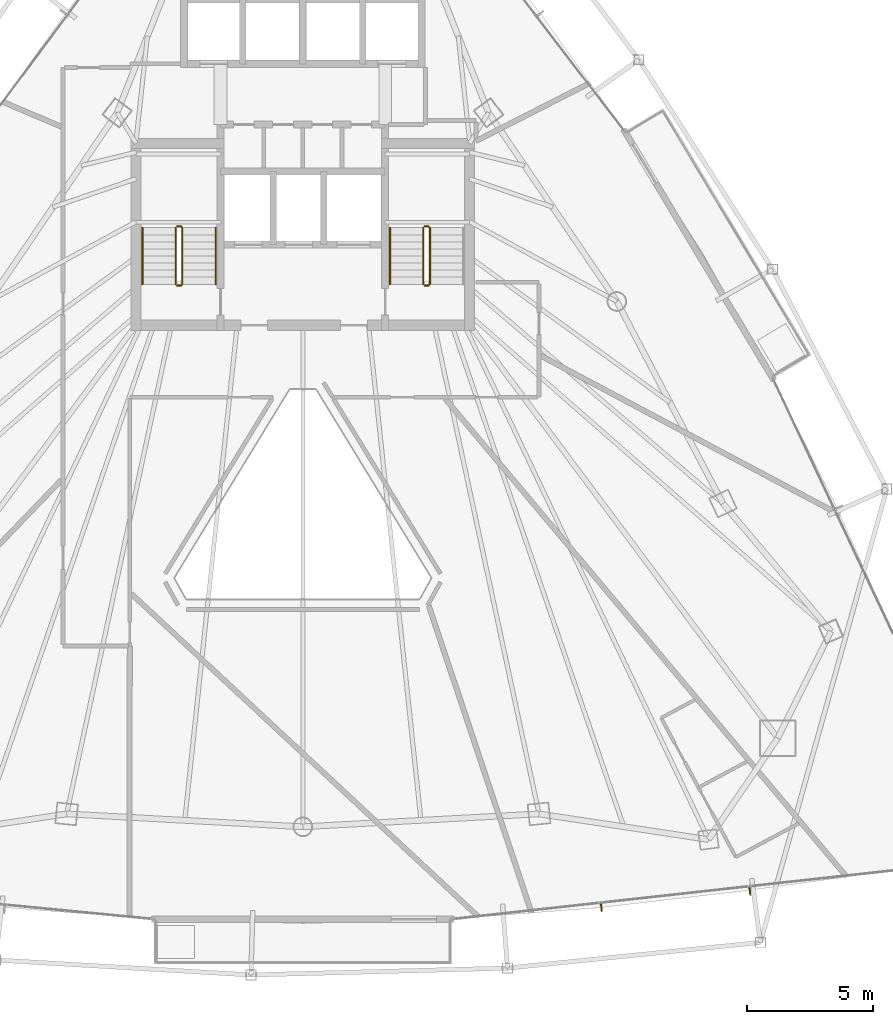
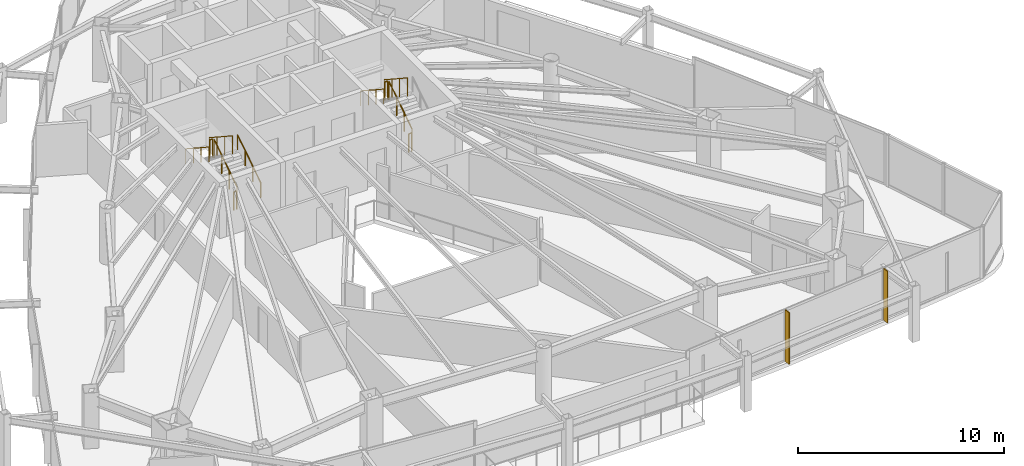
# One storey, part 30 of 31: 11 railings, 2 shading devices.
"""IFC4 building model written with IfcOpenShell, lengths in metres."""

from ifc_helpers import new_model, si_unit, direction, frame, origin, origin_2d, place, context, subcontext, project, spatial, rectangle, circle, extrude, material, layer, layer_set, type_object, element, save


model = new_model("IFC4")

# Units and contexts
model_context = context("Model", 3, precision=1e-05, world=origin(), true_north=direction((0.0, 1.0)))
body_context = subcontext(model_context, "Body", "Model", "MODEL_VIEW")
ifc_project = project(units=[si_unit("LENGTHUNIT", "METRE"), si_unit("AREAUNIT", "SQUARE_METRE"), si_unit("VOLUMEUNIT", "CUBIC_METRE"), si_unit("PLANEANGLEUNIT", "RADIAN"), si_unit("MASSUNIT", "GRAM", prefix="KILO")], contexts=[model_context])

# Site, building, storey
site_placement = place(None, origin())
site = spatial("IfcSite", under=ifc_project, at=site_placement, CompositionType="ELEMENT")
building_placement = place(site_placement, origin())
building = spatial("IfcBuilding", under=site, at=building_placement, Name="Orvanel Arch Residences", CompositionType="ELEMENT")
storey_placement = place(building_placement, frame((0.0, 0.0, 129.800048828125)))
storey = spatial("IfcBuildingStorey", under=building, at=storey_placement, Name="L36", CompositionType="ELEMENT", Elevation=129.800048828125)

# Shading devices
ifc_material_1 = material(Name="Bronze-anodised aluminium AA6063-T6", Category="aluminium")
ifc_layer = layer(ifc_material_1, 0.054931640625)
ifc_layer_set = layer_set([ifc_layer], Name="Bronze-anodised aluminium AA6063-T6")
shading_device_type = type_object("IfcShadingDeviceType", Name="FIN-BRZ-320", PredefinedType="USERDEFINED", material=ifc_layer_set)
for number, where, z_axis, x_axis, name in (
    (1, (44.81689453125, 3.64990234375, 0.0), (0.0, 0.0, 1.0), (0.109734311091, -0.993960955455, 0.0), "L36 Anodised Bronze Mullion FIN 01"),
    (2, (50.697998046875, 4.298095703125, 0.0), (0.0, 0.0, 1.0), (0.109734311091, -0.993960955455, 0.0), "L36 Anodised Bronze Mullion FIN 02"),
):
    element("IfcShadingDevice", number, at=place(storey_placement, frame(where, z_axis=z_axis, x_axis=x_axis)), inside=storey, type_object=shading_device_type, Name=name, ObjectType="FIN", PredefinedType="USERDEFINED", context=body_context, shape_type="SweptSolid", body=[
        extrude(rectangle(XDim=0.320068359375, YDim=0.054931640625, at=origin_2d()), origin(), (0.0, 0.0, 1.0), 3.06005859375),
    ])

# Railings
ifc_material_2 = material(Name="Structural steel AS/NZS 1163 C350L0 (Grade 350)", Category="steel")
railing_type_1 = type_object("IfcRailingType", Name="RL-STAIR-GUARD", PredefinedType="GUARDRAIL", material=ifc_material_2)
railing_1_placement = place(storey_placement, frame((28.22998046875, 28.320068359375, 0.183349609375)))
element("IfcRailing", 3, at=railing_1_placement, inside=storey, type_object=railing_type_1, Name="L36 ST-1 stair guard 1", PredefinedType="GUARDRAIL", context=body_context, shape_type="SweptSolid", body=[
    extrude(circle(Radius=0.02392578125, at=origin_2d()), frame((0.0, 0.001220703125, 1.076904296875), z_axis=(0.0, 0.836636935527, 0.547757827979), x_axis=(-1.0, 0.0, 0.0)), (0.0, 0.0, 1.0), 2.67431640625),
    extrude(circle(Radius=0.02099609375, at=origin_2d()), origin(), (0.0, 0.0, 1.0), 1.050048828125),
    extrude(circle(Radius=0.02099609375, at=origin_2d()), frame((0.0, 0.74658203125, 0.48876953125)), (0.0, 0.0, 1.0), 1.050048828125),
    extrude(circle(Radius=0.02099609375, at=origin_2d()), frame((0.0, 1.493408203125, 0.977783203125)), (0.0, 0.0, 1.0), 1.050048828125),
    extrude(circle(Radius=0.02099609375, at=origin_2d()), frame((0.0, 2.239990234375, 1.466552734375)), (0.0, 0.0, 1.0), 1.050048828125),
])
railing_2_placement = place(storey_placement, frame((28.179931640625, 30.610107421875, 1.64990234375)))
element("IfcRailing", 4, at=railing_2_placement, inside=storey, type_object=railing_type_1, Name="L36 ST-1 stair guard 2", PredefinedType="GUARDRAIL", context=body_context, shape_type="SweptSolid", body=[
    extrude(circle(Radius=0.02392578125, at=origin_2d()), frame((-0.00146484375, 0.0, 1.076171875), z_axis=(-1.0, 0.0, 0.0), x_axis=(0.0, -1.0, 0.0)), (0.0, 0.0, 1.0), 0.156982421875),
    extrude(circle(Radius=0.02099609375, at=origin_2d()), origin(), (0.0, 0.0, 1.0), 1.050048828125),
    extrude(circle(Radius=0.02099609375, at=origin_2d()), frame((-0.159912109375, 0.0, 0.0)), (0.0, 0.0, 1.0), 1.050048828125),
])
railing_3_placement = place(storey_placement, frame((27.969970703125, 30.56005859375, 1.833251953125)))
element("IfcRailing", 5, at=railing_3_placement, inside=storey, type_object=railing_type_1, Name="L36 ST-1 stair guard 3", PredefinedType="GUARDRAIL", context=body_context, shape_type="SweptSolid", body=[
    extrude(circle(Radius=0.02392578125, at=origin_2d()), frame((0.0, -0.001220703125, 1.076904296875), z_axis=(0.0, -0.836595146698, 0.547821650285), x_axis=(1.0, 0.0, 0.0)), (0.0, 0.0, 1.0), 2.674560546875),
    extrude(circle(Radius=0.02099609375, at=origin_2d()), origin(), (0.0, 0.0, 1.0), 1.050048828125),
    extrude(circle(Radius=0.02099609375, at=origin_2d()), frame((0.0, -0.74658203125, 0.489013671875)), (0.0, 0.0, 1.0), 1.050048828125),
    extrude(circle(Radius=0.02099609375, at=origin_2d()), frame((0.0, -1.493408203125, 0.977783203125)), (0.0, 0.0, 1.0), 1.050048828125),
    extrude(circle(Radius=0.02099609375, at=origin_2d()), frame((0.0, -2.239990234375, 1.466796875)), (0.0, 0.0, 1.0), 1.050048828125),
])
railing_4_placement = place(storey_placement, frame((28.179931640625, 28.27001953125, 0.0)))
element("IfcRailing", 6, at=railing_4_placement, inside=storey, type_object=railing_type_1, Name="L36 ST-1 stair guard 4", PredefinedType="GUARDRAIL", context=body_context, shape_type="SweptSolid", body=[
    extrude(circle(Radius=0.02392578125, at=origin_2d()), frame((-0.00146484375, 0.0, 1.076171875), z_axis=(-1.0, 0.0, 0.0), x_axis=(0.0, -1.0, 0.0)), (0.0, 0.0, 1.0), 0.156982421875),
    extrude(circle(Radius=0.02099609375, at=origin_2d()), origin(), (0.0, 0.0, 1.0), 1.050048828125),
    extrude(circle(Radius=0.02099609375, at=origin_2d()), frame((-0.159912109375, 0.0, 0.0)), (0.0, 0.0, 1.0), 1.050048828125),
])
railing_5_placement = place(storey_placement, frame((38.030029296875, 28.320068359375, 0.183349609375)))
element("IfcRailing", 7, at=railing_5_placement, inside=storey, type_object=railing_type_1, Name="L36 ST-2 stair guard 1", PredefinedType="GUARDRAIL", context=body_context, shape_type="SweptSolid", body=[
    extrude(circle(Radius=0.02392578125, at=origin_2d()), frame((0.0, 0.001220703125, 1.076904296875), z_axis=(0.0, 0.836636935527, 0.547757827979), x_axis=(-1.0, 0.0, 0.0)), (0.0, 0.0, 1.0), 2.67431640625),
    extrude(circle(Radius=0.02099609375, at=origin_2d()), origin(), (0.0, 0.0, 1.0), 1.050048828125),
    extrude(circle(Radius=0.02099609375, at=origin_2d()), frame((0.0, 0.74658203125, 0.48876953125)), (0.0, 0.0, 1.0), 1.050048828125),
    extrude(circle(Radius=0.02099609375, at=origin_2d()), frame((0.0, 1.493408203125, 0.977783203125)), (0.0, 0.0, 1.0), 1.050048828125),
    extrude(circle(Radius=0.02099609375, at=origin_2d()), frame((0.0, 2.239990234375, 1.466552734375)), (0.0, 0.0, 1.0), 1.050048828125),
])
railing_6_placement = place(storey_placement, frame((37.97998046875, 30.610107421875, 1.64990234375)))
element("IfcRailing", 8, at=railing_6_placement, inside=storey, type_object=railing_type_1, Name="L36 ST-2 stair guard 2", PredefinedType="GUARDRAIL", context=body_context, shape_type="SweptSolid", body=[
    extrude(circle(Radius=0.02392578125, at=origin_2d()), frame((-0.00146484375, 0.0, 1.076171875), z_axis=(-1.0, 0.0, 0.0), x_axis=(0.0, -1.0, 0.0)), (0.0, 0.0, 1.0), 0.156982421875),
    extrude(circle(Radius=0.02099609375, at=origin_2d()), origin(), (0.0, 0.0, 1.0), 1.050048828125),
    extrude(circle(Radius=0.02099609375, at=origin_2d()), frame((-0.159912109375, 0.0, 0.0)), (0.0, 0.0, 1.0), 1.050048828125),
])
railing_7_placement = place(storey_placement, frame((37.77001953125, 30.56005859375, 1.833251953125)))
element("IfcRailing", 9, at=railing_7_placement, inside=storey, type_object=railing_type_1, Name="L36 ST-2 stair guard 3", PredefinedType="GUARDRAIL", context=body_context, shape_type="SweptSolid", body=[
    extrude(circle(Radius=0.02392578125, at=origin_2d()), frame((0.0, -0.001220703125, 1.076904296875), z_axis=(0.0, -0.836595146698, 0.547821650285), x_axis=(1.0, 0.0, 0.0)), (0.0, 0.0, 1.0), 2.674560546875),
    extrude(circle(Radius=0.02099609375, at=origin_2d()), origin(), (0.0, 0.0, 1.0), 1.050048828125),
    extrude(circle(Radius=0.02099609375, at=origin_2d()), frame((0.0, -0.74658203125, 0.489013671875)), (0.0, 0.0, 1.0), 1.050048828125),
    extrude(circle(Radius=0.02099609375, at=origin_2d()), frame((0.0, -1.493408203125, 0.977783203125)), (0.0, 0.0, 1.0), 1.050048828125),
    extrude(circle(Radius=0.02099609375, at=origin_2d()), frame((0.0, -2.239990234375, 1.466796875)), (0.0, 0.0, 1.0), 1.050048828125),
])
railing_8_placement = place(storey_placement, frame((37.97998046875, 28.27001953125, 0.0)))
element("IfcRailing", 10, at=railing_8_placement, inside=storey, type_object=railing_type_1, Name="L36 ST-2 stair guard 4", PredefinedType="GUARDRAIL", context=body_context, shape_type="SweptSolid", body=[
    extrude(circle(Radius=0.02392578125, at=origin_2d()), frame((-0.00146484375, 0.0, 1.076171875), z_axis=(-1.0, 0.0, 0.0), x_axis=(0.0, -1.0, 0.0)), (0.0, 0.0, 1.0), 0.156982421875),
    extrude(circle(Radius=0.02099609375, at=origin_2d()), origin(), (0.0, 0.0, 1.0), 1.050048828125),
    extrude(circle(Radius=0.02099609375, at=origin_2d()), frame((-0.159912109375, 0.0, 0.0)), (0.0, 0.0, 1.0), 1.050048828125),
])
railing_type_2 = type_object("IfcRailingType", Name="RL-STAIR-HAND", PredefinedType="HANDRAIL", material=ifc_material_2)
railing_9_placement = place(storey_placement, frame((29.550048828125, 28.320068359375, 0.183349609375)))
element("IfcRailing", 11, at=railing_9_placement, inside=storey, type_object=railing_type_2, Name="L36 ST-1 stair handrail 1", PredefinedType="HANDRAIL", context=body_context, shape_type="SweptSolid", body=[
    extrude(circle(Radius=0.02392578125, at=origin_2d()), frame((0.0, 0.001220703125, 0.876708984375), z_axis=(0.0, 0.836636935527, 0.547757827979), x_axis=(-1.0, 0.0, 0.0)), (0.0, 0.0, 1.0), 2.67431640625),
    extrude(circle(Radius=0.02099609375, at=origin_2d()), origin(), (0.0, 0.0, 1.0), 0.849853515625),
    extrude(circle(Radius=0.02099609375, at=origin_2d()), frame((0.0, 0.74658203125, 0.48876953125)), (0.0, 0.0, 1.0), 0.849853515625),
    extrude(circle(Radius=0.02099609375, at=origin_2d()), frame((0.0, 1.493408203125, 0.977783203125)), (0.0, 0.0, 1.0), 0.849853515625),
    extrude(circle(Radius=0.02099609375, at=origin_2d()), frame((0.0, 2.239990234375, 1.466552734375)), (0.0, 0.0, 1.0), 0.849853515625),
])
for number, where, name in (
    (12, (26.64990234375, 30.56005859375, 1.833251953125), "L36 ST-1 stair handrail 2"),
    (13, (36.449951171875, 30.56005859375, 1.833251953125), "L36 ST-2 stair handrail 2"),
):
    element("IfcRailing", number, at=place(storey_placement, frame(where)), inside=storey, type_object=railing_type_2, Name=name, PredefinedType="HANDRAIL", context=body_context, shape_type="SweptSolid", body=[
        extrude(circle(Radius=0.02392578125, at=origin_2d()), frame((0.0, -0.001220703125, 0.876708984375), z_axis=(0.0, -0.836595146698, 0.547821650285), x_axis=(1.0, 0.0, 0.0)), (0.0, 0.0, 1.0), 2.674560546875),
        extrude(circle(Radius=0.02099609375, at=origin_2d()), origin(), (0.0, 0.0, 1.0), 0.849853515625),
        extrude(circle(Radius=0.02099609375, at=origin_2d()), frame((0.0, -0.74658203125, 0.489013671875)), (0.0, 0.0, 1.0), 0.849853515625),
        extrude(circle(Radius=0.02099609375, at=origin_2d()), frame((0.0, -1.493408203125, 0.977783203125)), (0.0, 0.0, 1.0), 0.849853515625),
        extrude(circle(Radius=0.02099609375, at=origin_2d()), frame((0.0, -2.239990234375, 1.466796875)), (0.0, 0.0, 1.0), 0.849853515625),
    ])

save(model, "model.ifc")
